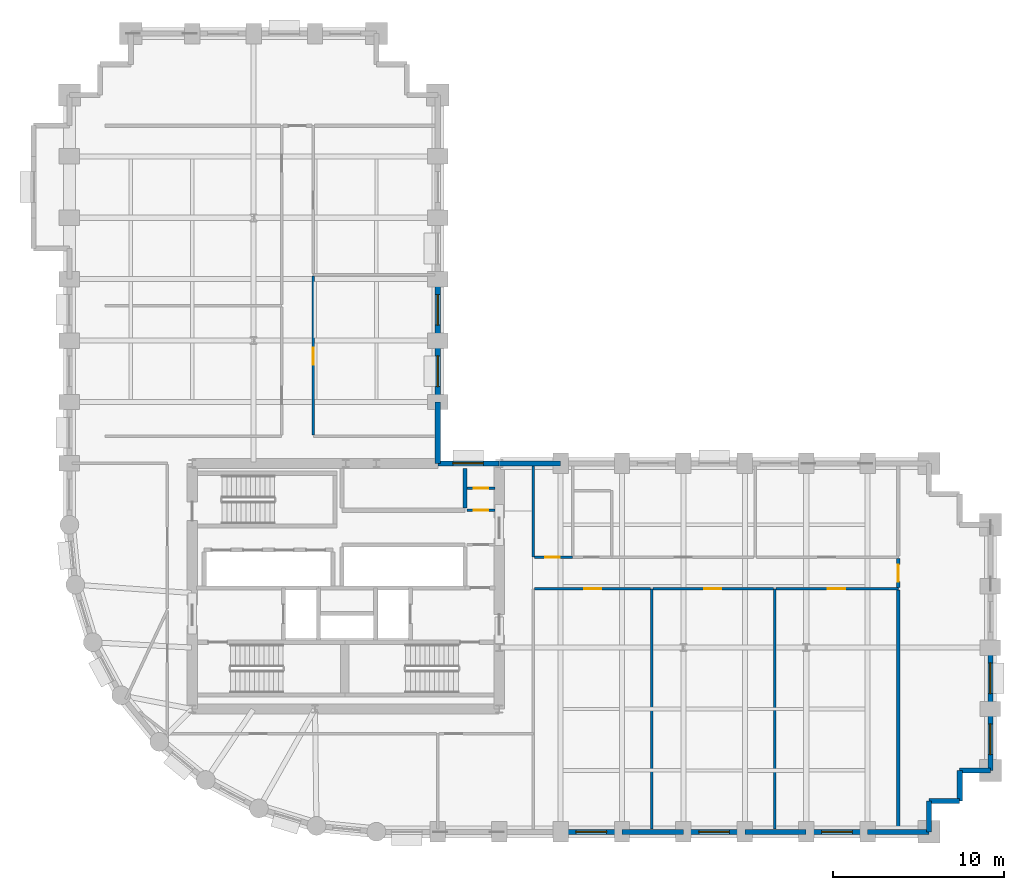
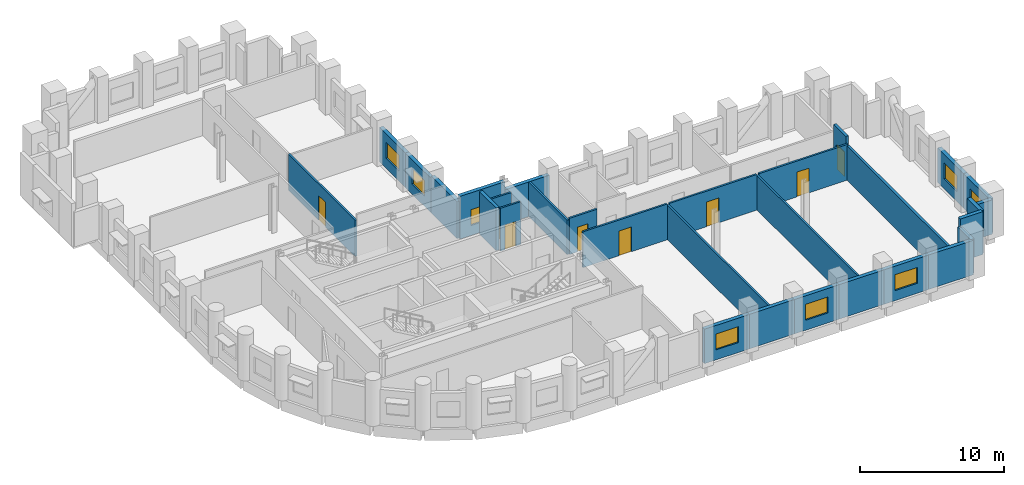
# One storey, part 7 of 11: 30 walls, 8 doors, 8 windows, 16 openings.
"""IFC4 building model written with IfcOpenShell, lengths in metres."""

from ifc_helpers import new_model, si_unit, direction, frame, frame_2d, origin, place, context, subcontext, project, spatial, rectangle, extrude, material, layer, layer_set, type_object, element, fill, save


model = new_model("IFC4")

# Units and contexts
model_context = context("Model", 3, precision=1e-05, world=origin(), true_north=direction((0.0, 1.0)))
body_context = subcontext(model_context, "Body", "Model", "MODEL_VIEW")
ifc_project = project(units=[si_unit("LENGTHUNIT", "METRE"), si_unit("AREAUNIT", "SQUARE_METRE"), si_unit("VOLUMEUNIT", "CUBIC_METRE"), si_unit("PLANEANGLEUNIT", "RADIAN"), si_unit("MASSUNIT", "GRAM", prefix="KILO")], contexts=[model_context])

# Site, building, storey
site_placement = place(None, origin())
site = spatial("IfcSite", under=ifc_project, at=site_placement, CompositionType="ELEMENT")
building_placement = place(site_placement, origin())
building = spatial("IfcBuilding", under=site, at=building_placement, Name="Solnavia Interchange Tower", CompositionType="ELEMENT")
storey_placement = place(building_placement, frame((0.0, 0.0, 55.199951171875)))
storey = spatial("IfcBuildingStorey", under=building, at=storey_placement, Name="L13", CompositionType="ELEMENT", Elevation=55.199951171875)

# Wall
ifc_material_1 = material(Name="Gypsum Acoustic Twin-Stud & Mineral Wool", Category="gypsum")
ifc_layer_1 = layer(ifc_material_1, 0.199951171875)
ifc_layer_set_1 = layer_set([ifc_layer_1], Name="Gypsum Acoustic Twin-Stud & Mineral Wool")
wall_type_1 = type_object("IfcWallType", Name="Wall-ApartmentParty-200", PredefinedType="PARTITIONING", material=ifc_layer_set_1)
wall_1_placement = place(storey_placement, frame((55.800048828125, 3.75390625, 0.0), z_axis=(0.0, 0.0, 1.0), x_axis=(0.0, 1.0, 0.0)))
element("IfcWall", 1, at=wall_1_placement, inside=storey, type_object=wall_type_1, Name="PTW-L13-24 Interior partition wall", PredefinedType="PARTITIONING", context=body_context, shape_type="SweptSolid", body=[
    extrude(rectangle(XDim=14.01708984375, YDim=0.199951171875, at=frame_2d((7.008544921875, 0.0))), origin(), (0.0, 0.0, 1.0), 2.929931640625),
])

# Wall, opening, door
wall_2_placement = place(storey_placement, frame((55.800048828125, 17.928955078125, 0.0), z_axis=(0.0, 0.0, 1.0), x_axis=(0.0, 1.0, 0.0)))
wall_2 = element("IfcWall", 2, at=wall_2_placement, inside=storey, type_object=wall_type_1, Name="PTW-L13-26 Interior partition wall", PredefinedType="PARTITIONING", context=body_context, shape_type="SweptSolid", body=[
    extrude(rectangle(XDim=1.692138671875, YDim=0.199951171875, at=frame_2d((0.84619140625, 0.0))), origin(), (0.0, 0.0, 1.0), 3.635009765625),
])
opening_1_placement = place(wall_2_placement, frame((0.339111328125, 0.0, 0.0)))
opening_1 = element("IfcOpeningElement", 3, at=opening_1_placement, cuts=wall_2, Name="Opening DR-06", PredefinedType="OPENING", context=body_context, shape_type="SweptSolid", body=[
    extrude(rectangle(XDim=1.0, YDim=2.10009765625, at=frame_2d((0.5, 1.050048828125))), frame((0.0, 0.10986328125, 0.0), z_axis=(0.0, -1.0, 0.0), x_axis=(1.0, 0.0, 0.0)), (0.0, 0.0, 1.0), 0.219970703125),
])
ifc_material_2 = material(Name="Engineered Timber Acoustic Fire Door", Category="wood")
door_type_1 = type_object("IfcDoorType", Name="Door-FlatEntry-1000x2100", OperationType="SINGLE_SWING_LEFT", PredefinedType="DOOR", material=ifc_material_2)
door_1_placement = place(opening_1_placement, origin())
door_1 = element("IfcDoor", 4, at=door_1_placement, inside=storey, type_object=door_type_1, Name="DR-L13-12 Interior room door", OperationType="SINGLE_SWING_RIGHT", OverallHeight=2.10009765625, OverallWidth=1.0, PredefinedType="DOOR", context=body_context, shape_type="SweptSolid", body=[
    extrude(rectangle(XDim=1.0, YDim=2.10009765625, at=frame_2d((0.5, 1.050048828125))), frame((0.0, 0.02490234375, 0.0), z_axis=(0.0, -1.0, 0.0), x_axis=(1.0, 0.0, 0.0)), (0.0, 0.0, 1.0), 0.050048828125),
])
fill(opening_1, door_1)

# Wall, opening, window
ifc_material_3 = material(Name="Concrete C40/50", Category="concrete")
ifc_layer_2 = layer(ifc_material_3, 0.300048828125)
ifc_layer_set_2 = layer_set([ifc_layer_2], Name="Concrete C40/50")
wall_type_2 = type_object("IfcWallType", Name="Wall-ExtSpandrel-300", PredefinedType="STANDARD", material=ifc_layer_set_2)
wall_3_placement = place(storey_placement, frame((39.60009765625, 3.60009765625, 0.0), z_axis=(0.0, 0.0, 1.0), x_axis=(-1.0, 0.0, 0.0)))
wall_3 = element("IfcWall", 5, at=wall_3_placement, inside=storey, type_object=wall_type_2, Name="EXW-L13-04 Exterior precast spandrel wall", PredefinedType="STANDARD", context=body_context, shape_type="SweptSolid", body=[
    extrude(rectangle(XDim=3.60009765625, YDim=0.300048828125, at=frame_2d((1.800048828125, 0.0))), origin(), (0.0, 0.0, 1.0), 2.929931640625),
])
opening_2_placement = place(wall_3_placement, frame((0.89990234375, 0.0, 0.85009765625)))
opening_2 = element("IfcOpeningElement", 6, at=opening_2_placement, cuts=wall_3, Name="Opening WIN-02", PredefinedType="OPENING", context=body_context, shape_type="SweptSolid", body=[
    extrude(rectangle(XDim=1.800048828125, YDim=1.35009765625, at=frame_2d((0.89990234375, 0.675048828125))), frame((0.0, 0.16015625, 0.0), z_axis=(0.0, -1.0, 0.0), x_axis=(1.0, 0.0, 0.0)), (0.0, 0.0, 1.0), 0.320068359375),
])
ifc_material_4 = material(Name="Thermal-Break Aluminium & Low-E Glass", Category="aluminium")
window_type = type_object("IfcWindowType", Name="Window-Ribbon-1800x1350", PartitioningType="SINGLE_PANEL", PredefinedType="WINDOW", material=ifc_material_4)
window_1_placement = place(opening_2_placement, origin())
window_1 = element("IfcWindow", 7, at=window_1_placement, inside=storey, type_object=window_type, Name="WIN-L13-04 Facade ribbon window", OverallHeight=1.35009765625, OverallWidth=1.800048828125, PartitioningType="SINGLE_PANEL", PredefinedType="WINDOW", context=body_context, shape_type="SweptSolid", body=[
    extrude(rectangle(XDim=1.800048828125, YDim=1.35009765625, at=frame_2d((0.89990234375, 0.675048828125))), frame((0.0, 0.030029296875, 0.0), z_axis=(0.0, -1.0, 0.0), x_axis=(1.0, 0.0, 0.0)), (0.0, 0.0, 1.0), 0.06005859375),
])
fill(opening_2, window_1)

# Wall
wall_4_placement = place(storey_placement, frame((43.199951171875, 3.60009765625, 0.0), z_axis=(0.0, 0.0, 1.0), x_axis=(-1.0, 0.0, 0.0)))
element("IfcWall", 8, at=wall_4_placement, inside=storey, type_object=wall_type_2, Name="EXW-L13-05 Exterior precast spandrel wall", PredefinedType="STANDARD", context=body_context, shape_type="SweptSolid", body=[
    extrude(rectangle(XDim=3.599853515625, YDim=0.300048828125, at=frame_2d((1.7998046875, 0.0))), origin(), (0.0, 0.0, 1.0), 2.929931640625),
])

# Wall, opening, window
wall_5_placement = place(storey_placement, frame((46.800048828125, 3.60009765625, 0.0), z_axis=(0.0, 0.0, 1.0), x_axis=(-1.0, 0.0, 0.0)))
wall_5 = element("IfcWall", 9, at=wall_5_placement, inside=storey, type_object=wall_type_2, Name="EXW-L13-06 Exterior precast spandrel wall", PredefinedType="STANDARD", context=body_context, shape_type="SweptSolid", body=[
    extrude(rectangle(XDim=3.60009765625, YDim=0.300048828125, at=frame_2d((1.800048828125, 0.0))), origin(), (0.0, 0.0, 1.0), 2.929931640625),
])
opening_3_placement = place(wall_5_placement, frame((0.89990234375, 0.0, 0.85009765625)))
opening_3 = element("IfcOpeningElement", 10, at=opening_3_placement, cuts=wall_5, Name="Opening WIN-02", PredefinedType="OPENING", context=body_context, shape_type="SweptSolid", body=[
    extrude(rectangle(XDim=1.800048828125, YDim=1.35009765625, at=frame_2d((0.89990234375, 0.675048828125))), frame((0.0, 0.16015625, 0.0), z_axis=(0.0, -1.0, 0.0), x_axis=(1.0, 0.0, 0.0)), (0.0, 0.0, 1.0), 0.320068359375),
])
window_2_placement = place(opening_3_placement, origin())
window_2 = element("IfcWindow", 11, at=window_2_placement, inside=storey, type_object=window_type, Name="WIN-L13-06 Facade ribbon window", OverallHeight=1.35009765625, OverallWidth=1.800048828125, PartitioningType="SINGLE_PANEL", PredefinedType="WINDOW", context=body_context, shape_type="SweptSolid", body=[
    extrude(rectangle(XDim=1.800048828125, YDim=1.35009765625, at=frame_2d((0.89990234375, 0.675048828125))), frame((0.0, 0.030029296875, 0.0), z_axis=(0.0, -1.0, 0.0), x_axis=(1.0, 0.0, 0.0)), (0.0, 0.0, 1.0), 0.06005859375),
])
fill(opening_3, window_2)

# Wall
wall_6_placement = place(storey_placement, frame((50.39990234375, 3.60009765625, 0.0), z_axis=(0.0, 0.0, 1.0), x_axis=(-1.0, 0.0, 0.0)))
element("IfcWall", 12, at=wall_6_placement, inside=storey, type_object=wall_type_2, Name="EXW-L13-07 Exterior precast spandrel wall", PredefinedType="STANDARD", context=body_context, shape_type="SweptSolid", body=[
    extrude(rectangle(XDim=3.599853515625, YDim=0.300048828125, at=frame_2d((1.7998046875, 0.0))), origin(), (0.0, 0.0, 1.0), 2.929931640625),
])

# Wall, opening, window
wall_7_placement = place(storey_placement, frame((54.0, 3.60009765625, 0.0), z_axis=(0.0, 0.0, 1.0), x_axis=(-1.0, 0.0, 0.0)))
wall_7 = element("IfcWall", 13, at=wall_7_placement, inside=storey, type_object=wall_type_2, Name="EXW-L13-08 Exterior precast spandrel wall", PredefinedType="STANDARD", context=body_context, shape_type="SweptSolid", body=[
    extrude(rectangle(XDim=3.60009765625, YDim=0.300048828125, at=frame_2d((1.800048828125, 0.0))), origin(), (0.0, 0.0, 1.0), 2.929931640625),
])
opening_4_placement = place(wall_7_placement, frame((0.89990234375, 0.0, 0.85009765625)))
opening_4 = element("IfcOpeningElement", 14, at=opening_4_placement, cuts=wall_7, Name="Opening WIN-02", PredefinedType="OPENING", context=body_context, shape_type="SweptSolid", body=[
    extrude(rectangle(XDim=1.800048828125, YDim=1.35009765625, at=frame_2d((0.89990234375, 0.675048828125))), frame((0.0, 0.16015625, 0.0), z_axis=(0.0, -1.0, 0.0), x_axis=(1.0, 0.0, 0.0)), (0.0, 0.0, 1.0), 0.320068359375),
])
window_3_placement = place(opening_4_placement, origin())
window_3 = element("IfcWindow", 15, at=window_3_placement, inside=storey, type_object=window_type, Name="WIN-L13-08 Facade ribbon window", OverallHeight=1.35009765625, OverallWidth=1.800048828125, PartitioningType="SINGLE_PANEL", PredefinedType="WINDOW", context=body_context, shape_type="SweptSolid", body=[
    extrude(rectangle(XDim=1.800048828125, YDim=1.35009765625, at=frame_2d((0.89990234375, 0.675048828125))), frame((0.0, 0.030029296875, 0.0), z_axis=(0.0, -1.0, 0.0), x_axis=(1.0, 0.0, 0.0)), (0.0, 0.0, 1.0), 0.06005859375),
])
fill(opening_4, window_3)

# Walls
wall_8_placement = place(storey_placement, frame((57.60009765625, 3.60009765625, 0.0), z_axis=(0.0, 0.0, 1.0), x_axis=(-1.0, 0.0, 0.0)))
element("IfcWall", 16, at=wall_8_placement, inside=storey, type_object=wall_type_2, Name="EXW-L13-09 Exterior precast spandrel wall", PredefinedType="STANDARD", context=body_context, shape_type="SweptSolid", body=[
    extrude(rectangle(XDim=3.60009765625, YDim=0.300048828125, at=frame_2d((1.800048828125, 0.0))), origin(), (0.0, 0.0, 1.0), 2.929931640625),
])
wall_9_placement = place(storey_placement, frame((57.60009765625, 5.39990234375, 0.0), z_axis=(0.0, 0.0, 1.0), x_axis=(0.0, -1.0, 0.0)))
element("IfcWall", 17, at=wall_9_placement, inside=storey, type_object=wall_type_2, Name="EXW-L13-10 Exterior precast spandrel wall", PredefinedType="STANDARD", context=body_context, shape_type="SweptSolid", body=[
    extrude(rectangle(XDim=1.7998046875, YDim=0.300048828125, at=frame_2d((0.89990234375, 0.0))), origin(), (0.0, 0.0, 1.0), 2.929931640625),
])
wall_10_placement = place(storey_placement, frame((59.39990234375, 5.39990234375, 0.0), z_axis=(0.0, 0.0, 1.0), x_axis=(-1.0, 0.0, 0.0)))
element("IfcWall", 18, at=wall_10_placement, inside=storey, type_object=wall_type_2, Name="EXW-L13-11 Exterior precast spandrel wall", PredefinedType="STANDARD", context=body_context, shape_type="SweptSolid", body=[
    extrude(rectangle(XDim=1.7998046875, YDim=0.300048828125, at=frame_2d((0.89990234375, 0.0))), origin(), (0.0, 0.0, 1.0), 3.635009765625),
])
wall_11_placement = place(storey_placement, frame((59.39990234375, 7.199951171875, 0.0), z_axis=(0.0, 0.0, 1.0), x_axis=(0.0, -1.0, 0.0)))
element("IfcWall", 19, at=wall_11_placement, inside=storey, type_object=wall_type_2, Name="EXW-L13-12 Exterior precast spandrel wall", PredefinedType="STANDARD", context=body_context, shape_type="SweptSolid", body=[
    extrude(rectangle(XDim=1.800048828125, YDim=0.300048828125, at=frame_2d((0.89990234375, 0.0))), origin(), (0.0, 0.0, 1.0), 3.635009765625),
])
wall_12_placement = place(storey_placement, frame((61.199951171875, 7.199951171875, 0.0), z_axis=(0.0, 0.0, 1.0), x_axis=(-1.0, 0.0, 0.0)))
element("IfcWall", 20, at=wall_12_placement, inside=storey, type_object=wall_type_2, Name="EXW-L13-13 Exterior precast spandrel wall", PredefinedType="STANDARD", context=body_context, shape_type="SweptSolid", body=[
    extrude(rectangle(XDim=1.800048828125, YDim=0.300048828125, at=frame_2d((0.89990234375, 0.0))), origin(), (0.0, 0.0, 1.0), 2.929931640625),
])

# Wall, opening, window
wall_13_placement = place(storey_placement, frame((61.199951171875, 10.800048828125, 0.0), z_axis=(0.0, 0.0, 1.0), x_axis=(0.0, -1.0, 0.0)))
wall_13 = element("IfcWall", 21, at=wall_13_placement, inside=storey, type_object=wall_type_2, Name="EXW-L13-14 Exterior precast spandrel wall", PredefinedType="STANDARD", context=body_context, shape_type="SweptSolid", body=[
    extrude(rectangle(XDim=3.60009765625, YDim=0.300048828125, at=frame_2d((1.800048828125, 0.0))), origin(), (0.0, 0.0, 1.0), 2.929931640625),
])
opening_5_placement = place(wall_13_placement, frame((0.875, 0.0, 0.85009765625)))
opening_5 = element("IfcOpeningElement", 22, at=opening_5_placement, cuts=wall_13, Name="Opening WIN-02", PredefinedType="OPENING", context=body_context, shape_type="SweptSolid", body=[
    extrude(rectangle(XDim=1.800048828125, YDim=1.35009765625, at=frame_2d((0.89990234375, 0.675048828125))), frame((0.0, 0.16015625, 0.0), z_axis=(0.0, -1.0, 0.0), x_axis=(1.0, 0.0, 0.0)), (0.0, 0.0, 1.0), 0.320068359375),
])
window_4_placement = place(opening_5_placement, origin())
window_4 = element("IfcWindow", 23, at=window_4_placement, inside=storey, type_object=window_type, Name="WIN-L13-14 Facade ribbon window", OverallHeight=1.35009765625, OverallWidth=1.800048828125, PartitioningType="SINGLE_PANEL", PredefinedType="WINDOW", context=body_context, shape_type="SweptSolid", body=[
    extrude(rectangle(XDim=1.800048828125, YDim=1.35009765625, at=frame_2d((0.89990234375, 0.675048828125))), frame((0.0, 0.030029296875, 0.0), z_axis=(0.0, -1.0, 0.0), x_axis=(1.0, 0.0, 0.0)), (0.0, 0.0, 1.0), 0.06005859375),
])
fill(opening_5, window_4)

wall_14_placement = place(storey_placement, frame((61.199951171875, 14.39990234375, 0.0), z_axis=(0.0, 0.0, 1.0), x_axis=(0.0, -1.0, 0.0)))
wall_14 = element("IfcWall", 24, at=wall_14_placement, inside=storey, type_object=wall_type_2, Name="EXW-L13-15 Exterior precast spandrel wall", PredefinedType="STANDARD", context=body_context, shape_type="SweptSolid", body=[
    extrude(rectangle(XDim=3.599853515625, YDim=0.300048828125, at=frame_2d((1.7998046875, 0.0))), origin(), (0.0, 0.0, 1.0), 2.929931640625),
])
opening_6_placement = place(wall_14_placement, frame((0.89990234375, 0.0, 0.85009765625)))
opening_6 = element("IfcOpeningElement", 25, at=opening_6_placement, cuts=wall_14, Name="Opening WIN-02", PredefinedType="OPENING", context=body_context, shape_type="SweptSolid", body=[
    extrude(rectangle(XDim=1.800048828125, YDim=1.35009765625, at=frame_2d((0.89990234375, 0.675048828125))), frame((0.0, 0.16015625, 0.0), z_axis=(0.0, -1.0, 0.0), x_axis=(1.0, 0.0, 0.0)), (0.0, 0.0, 1.0), 0.320068359375),
])
window_5_placement = place(opening_6_placement, origin())
window_5 = element("IfcWindow", 26, at=window_5_placement, inside=storey, type_object=window_type, Name="WIN-L13-15 Facade ribbon window", OverallHeight=1.35009765625, OverallWidth=1.800048828125, PartitioningType="SINGLE_PANEL", PredefinedType="WINDOW", context=body_context, shape_type="SweptSolid", body=[
    extrude(rectangle(XDim=1.800048828125, YDim=1.35009765625, at=frame_2d((0.89990234375, 0.675048828125))), frame((0.0, 0.030029296875, 0.0), z_axis=(0.0, -1.0, 0.0), x_axis=(1.0, 0.0, 0.0)), (0.0, 0.0, 1.0), 0.06005859375),
])
fill(opening_6, window_5)

# Wall
wall_15_placement = place(storey_placement, frame((32.39990234375, 25.199951171875, 0.0), z_axis=(0.0, 0.0, 1.0), x_axis=(1.0, 0.0, 0.0)))
element("IfcWall", 27, at=wall_15_placement, inside=storey, type_object=wall_type_2, Name="EXW-L13-28 Exterior precast spandrel wall", PredefinedType="STANDARD", context=body_context, shape_type="SweptSolid", body=[
    extrude(rectangle(XDim=3.60009765625, YDim=0.300048828125, at=frame_2d((1.800048828125, 0.0))), origin(), (0.0, 0.0, 1.0), 2.929931640625),
])

# Wall, opening, window
wall_16_placement = place(storey_placement, frame((28.800048828125, 25.199951171875, 0.0), z_axis=(0.0, 0.0, 1.0), x_axis=(1.0, 0.0, 0.0)))
wall_16 = element("IfcWall", 28, at=wall_16_placement, inside=storey, type_object=wall_type_2, Name="EXW-L13-29 Exterior precast spandrel wall", PredefinedType="STANDARD", context=body_context, shape_type="SweptSolid", body=[
    extrude(rectangle(XDim=3.599853515625, YDim=0.300048828125, at=frame_2d((1.7998046875, 0.0))), origin(), (0.0, 0.0, 1.0), 3.635009765625),
])
opening_7_placement = place(wall_16_placement, frame((0.8779296875, 0.0, 0.85009765625)))
opening_7 = element("IfcOpeningElement", 29, at=opening_7_placement, cuts=wall_16, Name="Opening WIN-02", PredefinedType="OPENING", context=body_context, shape_type="SweptSolid", body=[
    extrude(rectangle(XDim=1.800048828125, YDim=1.35009765625, at=frame_2d((0.89990234375, 0.675048828125))), frame((0.0, 0.16015625, 0.0), z_axis=(0.0, -1.0, 0.0), x_axis=(1.0, 0.0, 0.0)), (0.0, 0.0, 1.0), 0.320068359375),
])
window_6_placement = place(opening_7_placement, origin())
window_6 = element("IfcWindow", 30, at=window_6_placement, inside=storey, type_object=window_type, Name="WIN-L13-29 Facade ribbon window", OverallHeight=1.35009765625, OverallWidth=1.800048828125, PartitioningType="SINGLE_PANEL", PredefinedType="WINDOW", context=body_context, shape_type="SweptSolid", body=[
    extrude(rectangle(XDim=1.800048828125, YDim=1.35009765625, at=frame_2d((0.89990234375, 0.675048828125))), frame((0.0, 0.030029296875, 0.0), z_axis=(0.0, -1.0, 0.0), x_axis=(1.0, 0.0, 0.0)), (0.0, 0.0, 1.0), 0.06005859375),
])
fill(opening_7, window_6)

# Wall
wall_17_placement = place(storey_placement, frame((28.800048828125, 25.199951171875, 0.0), z_axis=(0.0, 0.0, 1.0), x_axis=(0.0, 1.0, 0.0)))
element("IfcWall", 31, at=wall_17_placement, inside=storey, type_object=wall_type_2, Name="EXW-L13-30 Exterior precast spandrel wall", PredefinedType="STANDARD", context=body_context, shape_type="SweptSolid", body=[
    extrude(rectangle(XDim=3.60009765625, YDim=0.300048828125, at=frame_2d((1.800048828125, 0.0))), origin(), (0.0, 0.0, 1.0), 3.14013671875),
])

# Wall, opening, window
wall_18_placement = place(storey_placement, frame((28.800048828125, 28.800048828125, 0.0), z_axis=(0.0, 0.0, 1.0), x_axis=(0.0, 1.0, 0.0)))
wall_18 = element("IfcWall", 32, at=wall_18_placement, inside=storey, type_object=wall_type_2, Name="EXW-L13-31 Exterior precast spandrel wall", PredefinedType="STANDARD", context=body_context, shape_type="SweptSolid", body=[
    extrude(rectangle(XDim=3.599853515625, YDim=0.300048828125, at=frame_2d((1.7998046875, 0.0))), origin(), (0.0, 0.0, 1.0), 2.929931640625),
])
opening_8_placement = place(wall_18_placement, frame((0.89990234375, 0.0, 0.85009765625)))
opening_8 = element("IfcOpeningElement", 33, at=opening_8_placement, cuts=wall_18, Name="Opening WIN-02", PredefinedType="OPENING", context=body_context, shape_type="SweptSolid", body=[
    extrude(rectangle(XDim=1.800048828125, YDim=1.35009765625, at=frame_2d((0.89990234375, 0.675048828125))), frame((0.0, 0.16015625, 0.0), z_axis=(0.0, -1.0, 0.0), x_axis=(1.0, 0.0, 0.0)), (0.0, 0.0, 1.0), 0.320068359375),
])
window_7_placement = place(opening_8_placement, origin())
window_7 = element("IfcWindow", 34, at=window_7_placement, inside=storey, type_object=window_type, Name="WIN-L13-31 Facade ribbon window", OverallHeight=1.35009765625, OverallWidth=1.800048828125, PartitioningType="SINGLE_PANEL", PredefinedType="WINDOW", context=body_context, shape_type="SweptSolid", body=[
    extrude(rectangle(XDim=1.800048828125, YDim=1.35009765625, at=frame_2d((0.89990234375, 0.675048828125))), frame((0.0, 0.030029296875, 0.0), z_axis=(0.0, -1.0, 0.0), x_axis=(1.0, 0.0, 0.0)), (0.0, 0.0, 1.0), 0.06005859375),
])
fill(opening_8, window_7)

wall_19_placement = place(storey_placement, frame((28.800048828125, 32.39990234375, 0.0), z_axis=(0.0, 0.0, 1.0), x_axis=(0.0, 1.0, 0.0)))
wall_19 = element("IfcWall", 35, at=wall_19_placement, inside=storey, type_object=wall_type_2, Name="EXW-L13-32 Exterior precast spandrel wall", PredefinedType="STANDARD", context=body_context, shape_type="SweptSolid", body=[
    extrude(rectangle(XDim=3.60009765625, YDim=0.300048828125, at=frame_2d((1.800048828125, 0.0))), origin(), (0.0, 0.0, 1.0), 2.929931640625),
])
opening_9_placement = place(wall_19_placement, frame((0.89990234375, 0.0, 0.85009765625)))
opening_9 = element("IfcOpeningElement", 36, at=opening_9_placement, cuts=wall_19, Name="Opening WIN-02", PredefinedType="OPENING", context=body_context, shape_type="SweptSolid", body=[
    extrude(rectangle(XDim=1.800048828125, YDim=1.35009765625, at=frame_2d((0.89990234375, 0.675048828125))), frame((0.0, 0.16015625, 0.0), z_axis=(0.0, -1.0, 0.0), x_axis=(1.0, 0.0, 0.0)), (0.0, 0.0, 1.0), 0.320068359375),
])
window_8_placement = place(opening_9_placement, origin())
window_8 = element("IfcWindow", 37, at=window_8_placement, inside=storey, type_object=window_type, Name="WIN-L13-32 Facade ribbon window", OverallHeight=1.35009765625, OverallWidth=1.800048828125, PartitioningType="SINGLE_PANEL", PredefinedType="WINDOW", context=body_context, shape_type="SweptSolid", body=[
    extrude(rectangle(XDim=1.800048828125, YDim=1.35009765625, at=frame_2d((0.89990234375, 0.675048828125))), frame((0.0, 0.030029296875, 0.0), z_axis=(0.0, -1.0, 0.0), x_axis=(1.0, 0.0, 0.0)), (0.0, 0.0, 1.0), 0.06005859375),
])
fill(opening_9, window_8)

# Wall, opening, door
ifc_material_5 = material(Name="Gypsum Plasterboard & Steel Stud", Category="steel")
ifc_layer_3 = layer(ifc_material_5, 0.14990234375)
ifc_layer_set_3 = layer_set([ifc_layer_3], Name="Gypsum Plasterboard & Steel Stud")
wall_type_3 = type_object("IfcWallType", Name="Wall-Partition-150", PredefinedType="PARTITIONING", material=ifc_layer_set_3)
wall_20_placement = place(storey_placement, frame((30.52001953125, 22.4599609375, 0.0), z_axis=(0.0, 0.0, 1.0), x_axis=(1.0, 0.0, 0.0)))
wall_20 = element("IfcWall", 38, at=wall_20_placement, inside=storey, type_object=wall_type_3, Name="CSW-L13-NE-S Core shaft wall", PredefinedType="PARTITIONING", context=body_context, shape_type="SweptSolid", body=[
    extrude(rectangle(XDim=1.6298828125, YDim=0.14990234375, at=frame_2d((0.81494140625, 0.0))), origin(), (0.0, 0.0, 1.0), 3.635009765625),
])
opening_10_placement = place(wall_20_placement, frame((0.3798828125, 0.0, 0.0)))
opening_10 = element("IfcOpeningElement", 39, at=opening_10_placement, cuts=wall_20, Name="Opening DR-10", PredefinedType="OPENING", context=body_context, shape_type="SweptSolid", body=[
    extrude(rectangle(XDim=0.85009765625, YDim=2.10009765625, at=frame_2d((0.425048828125, 1.050048828125))), frame((0.0, 0.0849609375, 0.0), z_axis=(0.0, -1.0, 0.0), x_axis=(1.0, 0.0, 0.0)), (0.0, 0.0, 1.0), 0.169921875),
])
ifc_material_6 = material(Name="Moisture-Resistant Timber Door", Category="wood")
door_type_2 = type_object("IfcDoorType", Name="Door-Bathroom-850x2100", OperationType="SINGLE_SWING_RIGHT", PredefinedType="DOOR", material=ifc_material_6)
door_2_placement = place(opening_10_placement, origin())
door_2 = element("IfcDoor", 40, at=door_2_placement, inside=storey, type_object=door_type_2, Name="DR-L13-CNE1 Core fire door", OperationType="SINGLE_SWING_RIGHT", OverallHeight=2.10009765625, OverallWidth=0.85009765625, PredefinedType="DOOR", context=body_context, shape_type="SweptSolid", body=[
    extrude(rectangle(XDim=0.85009765625, YDim=2.10009765625, at=frame_2d((0.425048828125, 1.050048828125))), frame((0.0, 0.02490234375, 0.0), z_axis=(0.0, -1.0, 0.0), x_axis=(1.0, 0.0, 0.0)), (0.0, 0.0, 1.0), 0.050048828125),
])
fill(opening_10, door_2)

wall_21_placement = place(storey_placement, frame((30.52001953125, 23.75, 0.0), z_axis=(0.0, 0.0, 1.0), x_axis=(1.0, 0.0, 0.0)))
wall_21 = element("IfcWall", 41, at=wall_21_placement, inside=storey, type_object=wall_type_3, Name="CSW-L13-NE-M Core shaft wall", PredefinedType="PARTITIONING", context=body_context, shape_type="SweptSolid", body=[
    extrude(rectangle(XDim=1.6298828125, YDim=0.14990234375, at=frame_2d((0.81494140625, 0.0))), origin(), (0.0, 0.0, 1.0), 3.635009765625),
])
opening_11_placement = place(wall_21_placement, frame((0.3798828125, 0.0, 0.0)))
opening_11 = element("IfcOpeningElement", 42, at=opening_11_placement, cuts=wall_21, Name="Opening DR-10", PredefinedType="OPENING", context=body_context, shape_type="SweptSolid", body=[
    extrude(rectangle(XDim=0.85009765625, YDim=2.10009765625, at=frame_2d((0.425048828125, 1.050048828125))), frame((0.0, 0.0849609375, 0.0), z_axis=(0.0, -1.0, 0.0), x_axis=(1.0, 0.0, 0.0)), (0.0, 0.0, 1.0), 0.169921875),
])
door_3_placement = place(opening_11_placement, origin())
door_3 = element("IfcDoor", 43, at=door_3_placement, inside=storey, type_object=door_type_2, Name="DR-L13-CNE2 Core fire door", OperationType="SINGLE_SWING_LEFT", OverallHeight=2.10009765625, OverallWidth=0.85009765625, PredefinedType="DOOR", context=body_context, shape_type="SweptSolid", body=[
    extrude(rectangle(XDim=0.85009765625, YDim=2.10009765625, at=frame_2d((0.425048828125, 1.050048828125))), frame((0.0, 0.02490234375, 0.0), z_axis=(0.0, -1.0, 0.0), x_axis=(1.0, 0.0, 0.0)), (0.0, 0.0, 1.0), 0.050048828125),
])
fill(opening_11, door_3)

# Wall
wall_22_placement = place(storey_placement, frame((41.35009765625, 3.75390625, 0.0), z_axis=(0.0, 0.0, 1.0), x_axis=(0.0, 1.0, 0.0)))
element("IfcWall", 44, at=wall_22_placement, inside=storey, type_object=wall_type_3, Name="PTW-L13-16 Interior partition wall", PredefinedType="PARTITIONING", context=body_context, shape_type="SweptSolid", body=[
    extrude(rectangle(XDim=14.09619140625, YDim=0.14990234375, at=frame_2d((7.048095703125, 0.0))), origin(), (0.0, 0.0, 1.0), 2.929931640625),
])

# Wall, opening, door
wall_23_placement = place(storey_placement, frame((34.47900390625, 17.85009765625, 0.0), z_axis=(0.0, 0.0, 1.0), x_axis=(1.0, 0.0, 0.0)))
wall_23 = element("IfcWall", 45, at=wall_23_placement, inside=storey, type_object=wall_type_3, Name="PTW-L13-17 Interior partition wall", PredefinedType="PARTITIONING", context=body_context, shape_type="SweptSolid", body=[
    extrude(rectangle(XDim=6.7919921875, YDim=0.14990234375, at=frame_2d((3.39599609375, 0.0))), origin(), (0.0, 0.0, 1.0), 3.0400390625),
])
opening_12_placement = place(wall_23_placement, frame((2.89599609375, 0.0, 0.0)))
opening_12 = element("IfcOpeningElement", 46, at=opening_12_placement, cuts=wall_23, Name="Opening DR-07", PredefinedType="OPENING", context=body_context, shape_type="SweptSolid", body=[
    extrude(rectangle(XDim=1.0, YDim=2.10009765625, at=frame_2d((0.5, 1.050048828125))), frame((0.0, 0.0849609375, 0.0), z_axis=(0.0, -1.0, 0.0), x_axis=(1.0, 0.0, 0.0)), (0.0, 0.0, 1.0), 0.169921875),
])
ifc_material_7 = material(Name="Timber & Acoustic Glazed Office Door", Category="wood")
door_type_3 = type_object("IfcDoorType", Name="Door-Office-1000x2100", OperationType="SINGLE_SWING_RIGHT", PredefinedType="DOOR", material=ifc_material_7)
door_4_placement = place(opening_12_placement, origin())
door_4 = element("IfcDoor", 47, at=door_4_placement, inside=storey, type_object=door_type_3, Name="DR-L13-07 Interior room door", OperationType="SINGLE_SWING_RIGHT", OverallHeight=2.10009765625, OverallWidth=1.0, PredefinedType="DOOR", context=body_context, shape_type="SweptSolid", body=[
    extrude(rectangle(XDim=1.0, YDim=2.10009765625, at=frame_2d((0.5, 1.050048828125))), frame((0.0, 0.02490234375, 0.0), z_axis=(0.0, -1.0, 0.0), x_axis=(1.0, 0.0, 0.0)), (0.0, 0.0, 1.0), 0.050048828125),
])
fill(opening_12, door_4)

# Wall
wall_24_placement = place(storey_placement, frame((48.550048828125, 3.75390625, 0.0), z_axis=(0.0, 0.0, 1.0), x_axis=(0.0, 1.0, 0.0)))
element("IfcWall", 48, at=wall_24_placement, inside=storey, type_object=wall_type_3, Name="PTW-L13-18 Interior partition wall", PredefinedType="PARTITIONING", context=body_context, shape_type="SweptSolid", body=[
    extrude(rectangle(XDim=14.09619140625, YDim=0.14990234375, at=frame_2d((7.048095703125, 0.0))), origin(), (0.0, 0.0, 1.0), 2.929931640625),
])

# Wall, opening, door
wall_25_placement = place(storey_placement, frame((41.428955078125, 17.85009765625, 0.0), z_axis=(0.0, 0.0, 1.0), x_axis=(1.0, 0.0, 0.0)))
wall_25 = element("IfcWall", 49, at=wall_25_placement, inside=storey, type_object=wall_type_3, Name="PTW-L13-19 Interior partition wall", PredefinedType="PARTITIONING", context=body_context, shape_type="SweptSolid", body=[
    extrude(rectangle(XDim=7.0419921875, YDim=0.14990234375, at=frame_2d((3.52099609375, 0.0))), origin(), (0.0, 0.0, 1.0), 3.030029296875),
])
opening_13_placement = place(wall_25_placement, frame((2.98095703125, 0.0, 0.0)))
opening_13 = element("IfcOpeningElement", 50, at=opening_13_placement, cuts=wall_25, Name="Opening DR-07", PredefinedType="OPENING", context=body_context, shape_type="SweptSolid", body=[
    extrude(rectangle(XDim=1.0, YDim=2.10009765625, at=frame_2d((0.5, 1.050048828125))), frame((0.0, 0.0849609375, 0.0), z_axis=(0.0, -1.0, 0.0), x_axis=(1.0, 0.0, 0.0)), (0.0, 0.0, 1.0), 0.169921875),
])
door_5_placement = place(opening_13_placement, origin())
door_5 = element("IfcDoor", 51, at=door_5_placement, inside=storey, type_object=door_type_3, Name="DR-L13-08 Interior room door", OperationType="SINGLE_SWING_RIGHT", OverallHeight=2.10009765625, OverallWidth=1.0, PredefinedType="DOOR", context=body_context, shape_type="SweptSolid", body=[
    extrude(rectangle(XDim=1.0, YDim=2.10009765625, at=frame_2d((0.5, 1.050048828125))), frame((0.0, 0.02490234375, 0.0), z_axis=(0.0, -1.0, 0.0), x_axis=(1.0, 0.0, 0.0)), (0.0, 0.0, 1.0), 0.050048828125),
])
fill(opening_13, door_5)

wall_26_placement = place(storey_placement, frame((48.62890625, 17.85009765625, 0.0), z_axis=(0.0, 0.0, 1.0), x_axis=(1.0, 0.0, 0.0)))
wall_26 = element("IfcWall", 52, at=wall_26_placement, inside=storey, type_object=wall_type_3, Name="PTW-L13-20 Interior partition wall", PredefinedType="PARTITIONING", context=body_context, shape_type="SweptSolid", body=[
    extrude(rectangle(XDim=7.171142578125, YDim=0.14990234375, at=frame_2d((3.58544921875, 0.0))), origin(), (0.0, 0.0, 1.0), 3.0400390625),
])
opening_14_placement = place(wall_26_placement, frame((3.0458984375, 0.0, 0.0)))
opening_14 = element("IfcOpeningElement", 53, at=opening_14_placement, cuts=wall_26, Name="Opening DR-07", PredefinedType="OPENING", context=body_context, shape_type="SweptSolid", body=[
    extrude(rectangle(XDim=1.0, YDim=2.10009765625, at=frame_2d((0.5, 1.050048828125))), frame((0.0, 0.0849609375, 0.0), z_axis=(0.0, -1.0, 0.0), x_axis=(1.0, 0.0, 0.0)), (0.0, 0.0, 1.0), 0.169921875),
])
door_6_placement = place(opening_14_placement, origin())
door_6 = element("IfcDoor", 54, at=door_6_placement, inside=storey, type_object=door_type_3, Name="DR-L13-09 Interior room door", OperationType="SINGLE_SWING_LEFT", OverallHeight=2.10009765625, OverallWidth=1.0, PredefinedType="DOOR", context=body_context, shape_type="SweptSolid", body=[
    extrude(rectangle(XDim=1.0, YDim=2.10009765625, at=frame_2d((0.5, 1.050048828125))), frame((0.0, 0.02490234375, 0.0), z_axis=(0.0, -1.0, 0.0), x_axis=(1.0, 0.0, 0.0)), (0.0, 0.0, 1.0), 0.050048828125),
])
fill(opening_14, door_6)

wall_27_placement = place(storey_placement, frame((21.5, 26.87890625, 0.0), z_axis=(0.0, 0.0, 1.0), x_axis=(0.0, 1.0, 0.0)))
wall_27 = element("IfcWall", 55, at=wall_27_placement, inside=storey, type_object=wall_type_3, Name="PTW-L13-33 Interior partition wall", PredefinedType="PARTITIONING", context=body_context, shape_type="SweptSolid", body=[
    extrude(rectangle(XDim=9.302001953125, YDim=0.14990234375, at=frame_2d((4.65087890625, 0.0))), origin(), (0.0, 0.0, 1.0), 3.080078125),
])
opening_15_placement = place(wall_27_placement, frame((4.111083984375, 0.0, 0.0)))
opening_15 = element("IfcOpeningElement", 56, at=opening_15_placement, cuts=wall_27, Name="Opening DR-07", PredefinedType="OPENING", context=body_context, shape_type="SweptSolid", body=[
    extrude(rectangle(XDim=1.0, YDim=2.10009765625, at=frame_2d((0.5, 1.050048828125))), frame((0.0, 0.0849609375, 0.0), z_axis=(0.0, -1.0, 0.0), x_axis=(1.0, 0.0, 0.0)), (0.0, 0.0, 1.0), 0.169921875),
])
door_7_placement = place(opening_15_placement, origin())
door_7 = element("IfcDoor", 57, at=door_7_placement, inside=storey, type_object=door_type_3, Name="DR-L13-15 Interior room door", OperationType="SINGLE_SWING_LEFT", OverallHeight=2.10009765625, OverallWidth=1.0, PredefinedType="DOOR", context=body_context, shape_type="SweptSolid", body=[
    extrude(rectangle(XDim=1.0, YDim=2.10009765625, at=frame_2d((0.5, 1.050048828125))), frame((0.0, 0.02490234375, 0.0), z_axis=(0.0, -1.0, 0.0), x_axis=(1.0, 0.0, 0.0)), (0.0, 0.0, 1.0), 0.050048828125),
])
fill(opening_15, door_7)

# Walls
ifc_layer_4 = layer(ifc_material_3, 0.25)
ifc_layer_set_4 = layer_set([ifc_layer_4], Name="Concrete C40/50")
wall_type_4 = type_object("IfcWallType", Name="Wall-ShaftPart-250", PredefinedType="PARTITIONING", material=ifc_layer_set_4)
wall_28_placement = place(storey_placement, frame((30.39990234375, 22.5849609375, 0.0), z_axis=(0.0, 0.0, 1.0), x_axis=(0.0, 1.0, 0.0)))
element("IfcWall", 58, at=wall_28_placement, inside=storey, type_object=wall_type_4, Name="SHW-L13-B3E Core shaft wall", PredefinedType="PARTITIONING", context=body_context, shape_type="SweptSolid", body=[
    extrude(rectangle(XDim=2.31494140625, YDim=0.25, at=frame_2d((1.157470703125, 0.0))), origin(), (0.0, 0.0, 1.0), 3.635009765625),
])
ifc_material_8 = material(Name="Moisture-Resistant Gypsum & Steel Stud", Category="steel")
ifc_layer_5 = layer(ifc_material_8, 0.14990234375)
ifc_layer_set_5 = layer_set([ifc_layer_5], Name="Moisture-Resistant Gypsum & Steel Stud")
wall_type_5 = type_object("IfcWallType", Name="Wall-WetRoom-150", PredefinedType="PARTITIONING", material=ifc_layer_set_5)
wall_29_placement = place(storey_placement, frame((34.39990234375, 19.699951171875, 0.0), z_axis=(0.0, 0.0, 1.0), x_axis=(0.0, 1.0, 0.0)))
element("IfcWall", 59, at=wall_29_placement, inside=storey, type_object=wall_type_5, Name="PTW-L13-01 Interior partition wall", PredefinedType="PARTITIONING", context=body_context, shape_type="SweptSolid", body=[
    extrude(rectangle(XDim=5.345947265625, YDim=0.14990234375, at=frame_2d((2.6728515625, 0.0))), origin(), (0.0, 0.0, 1.0), 2.929931640625),
])

# Wall, opening, door
wall_30_placement = place(storey_placement, frame((34.47900390625, 19.699951171875, 0.0), z_axis=(0.0, 0.0, 1.0), x_axis=(1.0, 0.0, 0.0)))
wall_30 = element("IfcWall", 60, at=wall_30_placement, inside=storey, type_object=wall_type_5, Name="PTW-L13-02 Interior partition wall", PredefinedType="PARTITIONING", context=body_context, shape_type="SweptSolid", body=[
    extrude(rectangle(XDim=2.220947265625, YDim=0.14990234375, at=frame_2d((1.1103515625, 0.0))), origin(), (0.0, 0.0, 1.0), 3.080078125),
])
opening_16_placement = place(wall_30_placement, frame((0.617919921875, 0.0, 0.0)))
opening_16 = element("IfcOpeningElement", 61, at=opening_16_placement, cuts=wall_30, Name="Opening DR-10", PredefinedType="OPENING", context=body_context, shape_type="SweptSolid", body=[
    extrude(rectangle(XDim=0.85009765625, YDim=2.10009765625, at=frame_2d((0.425048828125, 1.050048828125))), frame((0.0, 0.0849609375, 0.0), z_axis=(0.0, -1.0, 0.0), x_axis=(1.0, 0.0, 0.0)), (0.0, 0.0, 1.0), 0.169921875),
])
door_8_placement = place(opening_16_placement, origin())
door_8 = element("IfcDoor", 62, at=door_8_placement, inside=storey, type_object=door_type_2, Name="DR-L13-01 Interior room door", OperationType="SINGLE_SWING_RIGHT", OverallHeight=2.10009765625, OverallWidth=0.85009765625, PredefinedType="DOOR", context=body_context, shape_type="SweptSolid", body=[
    extrude(rectangle(XDim=0.85009765625, YDim=2.10009765625, at=frame_2d((0.425048828125, 1.050048828125))), frame((0.0, 0.02490234375, 0.0), z_axis=(0.0, -1.0, 0.0), x_axis=(1.0, 0.0, 0.0)), (0.0, 0.0, 1.0), 0.050048828125),
])
fill(opening_16, door_8)

save(model, "model.ifc")
